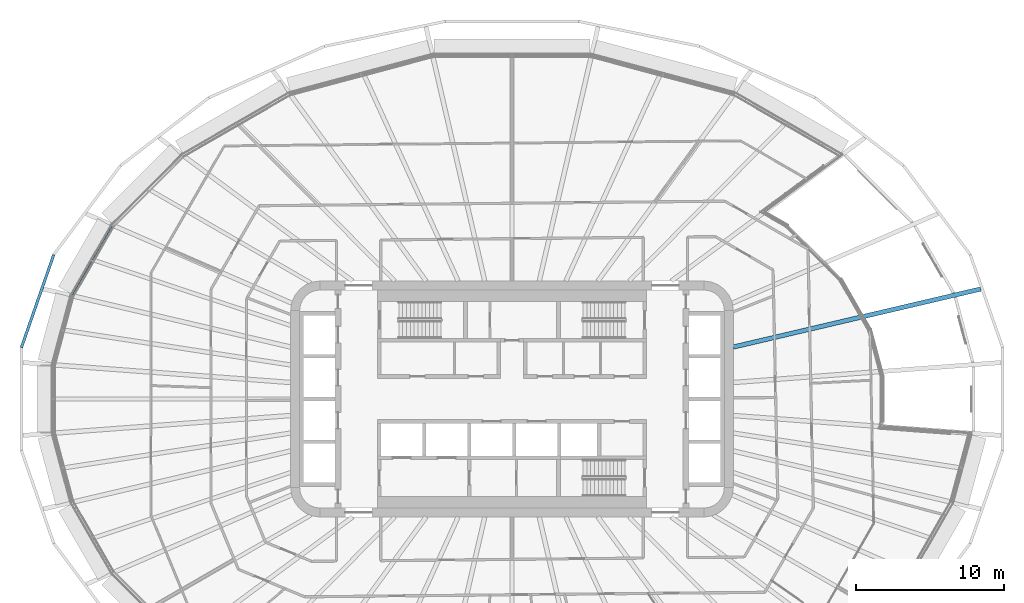
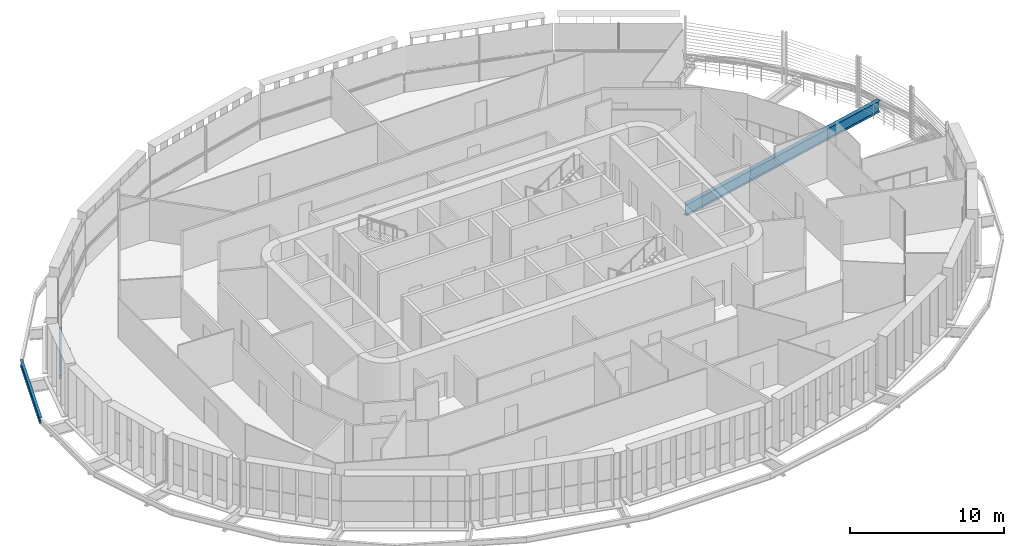
# One storey, part 6 of 24: 3 beams.
"""IFC4 building model written with IfcOpenShell, lengths in metres."""

from ifc_helpers import new_model, si_unit, direction, frame, origin, origin_2d, place, context, subcontext, project, spatial, i_section, extrude, material, material_profile, profile_set, type_object, element, save


model = new_model("IFC4")

# Units and contexts
model_context = context("Model", 3, precision=1e-05, world=origin(), true_north=direction((0.0, 1.0)))
body_context = subcontext(model_context, "Body", "Model", "MODEL_VIEW")
ifc_project = project(units=[si_unit("LENGTHUNIT", "METRE"), si_unit("AREAUNIT", "SQUARE_METRE"), si_unit("VOLUMEUNIT", "CUBIC_METRE"), si_unit("PLANEANGLEUNIT", "RADIAN"), si_unit("MASSUNIT", "GRAM", prefix="KILO")], contexts=[model_context])

# Site, building, storey
site_placement = place(None, origin())
site = spatial("IfcSite", under=ifc_project, at=site_placement, CompositionType="ELEMENT")
building_placement = place(site_placement, origin())
building = spatial("IfcBuilding", under=site, at=building_placement, Name="Sahrelin Media Tower", CompositionType="ELEMENT")
storey_placement = place(building_placement, frame((0.0, 0.0, 71.39990234375)))
storey = spatial("IfcBuildingStorey", under=building, at=storey_placement, Name="L12", CompositionType="ELEMENT", Elevation=71.39990234375)

# Beams
ifc_material = material(Name="Steel S355", Category="steel")
ifc_material_profile_1 = material_profile(ifc_material, i_section(OverallWidth=0.1650390625, OverallDepth=0.303466796875, WebThickness=0.006103515625, FlangeThickness=0.01025390625, FilletRadius=0.0087890625, at=origin_2d()), Name="UB 305x165x40")
ifc_profile_set_1 = profile_set([ifc_material_profile_1], Name="Steel S355")
beam_type_1 = type_object("IfcBeamType", Name="Edge beam EB2", PredefinedType="BEAM", material=ifc_profile_set_1)
beam_1_placement = place(storey_placement, frame((-29.77099609375, 6.976806640625, -0.301513671875), z_axis=(0.500000789788, 0.8660249478, 0.0), x_axis=(-0.8660249478, 0.500000789788, 0.0)))
element("IfcBeam", 1, at=beam_1_placement, inside=storey, type_object=beam_type_1, Name="Edge beam L12-14", PredefinedType="BEAM", context=body_context, shape_type="SweptSolid", body=[
    extrude(i_section(OverallWidth=0.1650390625, OverallDepth=0.303466796875, WebThickness=0.006103515625, FlangeThickness=0.01025390625, FilletRadius=0.0087890625, at=origin_2d()), origin(), (0.0, 0.0, 1.0), 5.466796875),
])
ifc_material_profile_2 = material_profile(ifc_material, i_section(OverallWidth=0.30322265625, OverallDepth=0.903076171875, WebThickness=0.01513671875, FlangeThickness=0.020263671875, FilletRadius=0.01904296875, at=origin_2d()), Name="UB 914x305x201")
ifc_profile_set_2 = profile_set([ifc_material_profile_2], Name="Steel S355")
beam_type_2 = type_object("IfcBeamType", Name="Radial primary beam PB11", PredefinedType="BEAM", material=ifc_profile_set_2)
beam_2_placement = place(storey_placement, frame((15.0, 3.520751953125, -0.601318359375), z_axis=(0.973545976239, 0.228491208034, 0.0), x_axis=(-0.228491208034, 0.973545976239, 0.0)))
element("IfcBeam", 2, at=beam_2_placement, inside=storey, type_object=beam_type_2, Name="Radial beam L12-02", PredefinedType="BEAM", context=body_context, shape_type="SweptSolid", body=[
    extrude(i_section(OverallWidth=0.30322265625, OverallDepth=0.903076171875, WebThickness=0.01513671875, FlangeThickness=0.020263671875, FilletRadius=0.01904296875, at=origin_2d()), origin(), (0.0, 0.0, 1.0), 17.23046875),
])
ifc_material_profile_3 = material_profile(ifc_material, i_section(OverallWidth=0.1904296875, OverallDepth=0.45703125, WebThickness=0.009033203125, FlangeThickness=0.014404296875, FilletRadius=0.01025390625, at=origin_2d()), Name="UB 457x191x74")
ifc_profile_set_3 = profile_set([ifc_material_profile_3], Name="Steel S355")
beam_type_3 = type_object("IfcBeamType", Name="Tie chord TC5", PredefinedType="BEAM", material=ifc_profile_set_3)
beam_3_placement = place(storey_placement, frame((-31.06689453125, 9.7802734375, -0.37841796875), z_axis=(-0.328772095294, -0.944409291227, 0.0), x_axis=(0.944409291227, -0.328772095294, 0.0)))
element("IfcBeam", 3, at=beam_3_placement, inside=storey, type_object=beam_type_3, Name="Tie chord L12-11", PredefinedType="BEAM", context=body_context, shape_type="SweptSolid", body=[
    extrude(i_section(OverallWidth=0.1904296875, OverallDepth=0.45703125, WebThickness=0.009033203125, FlangeThickness=0.014404296875, FilletRadius=0.01025390625, at=origin_2d()), origin(), (0.0, 0.0, 1.0), 6.664794921875),
])

save(model, "model.ifc")
